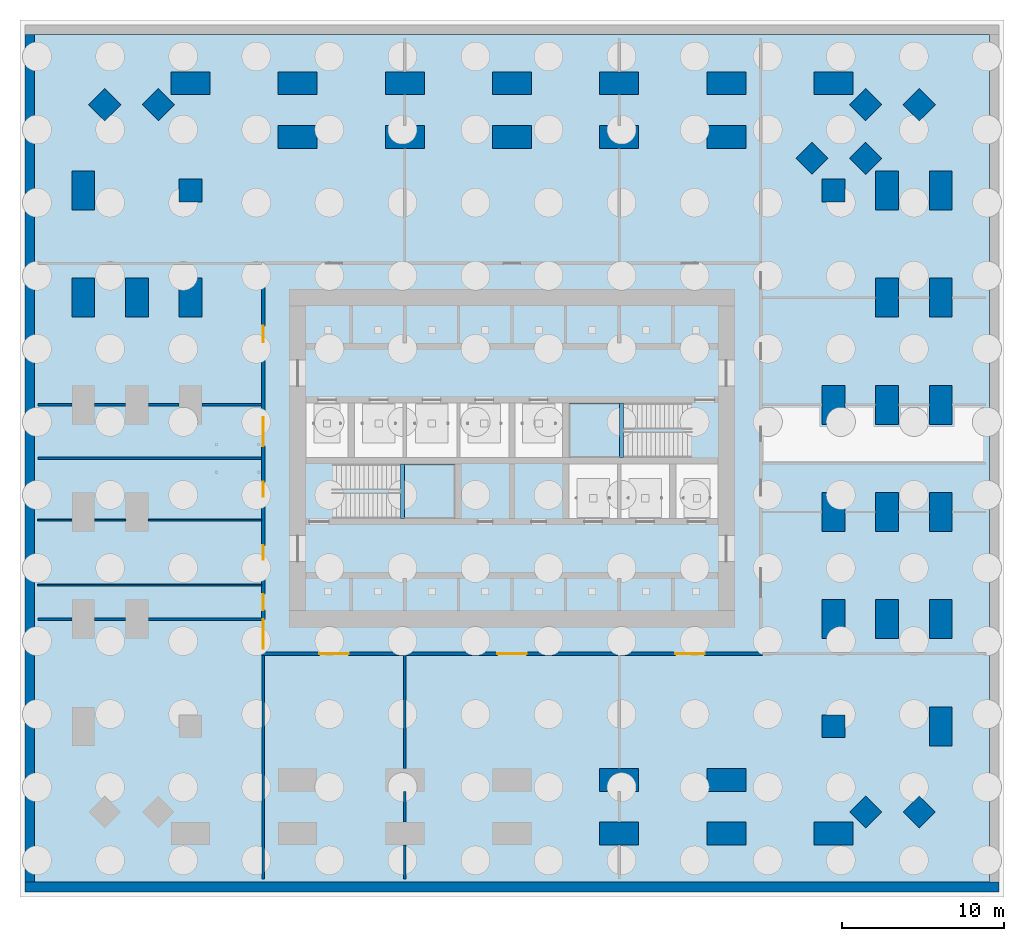
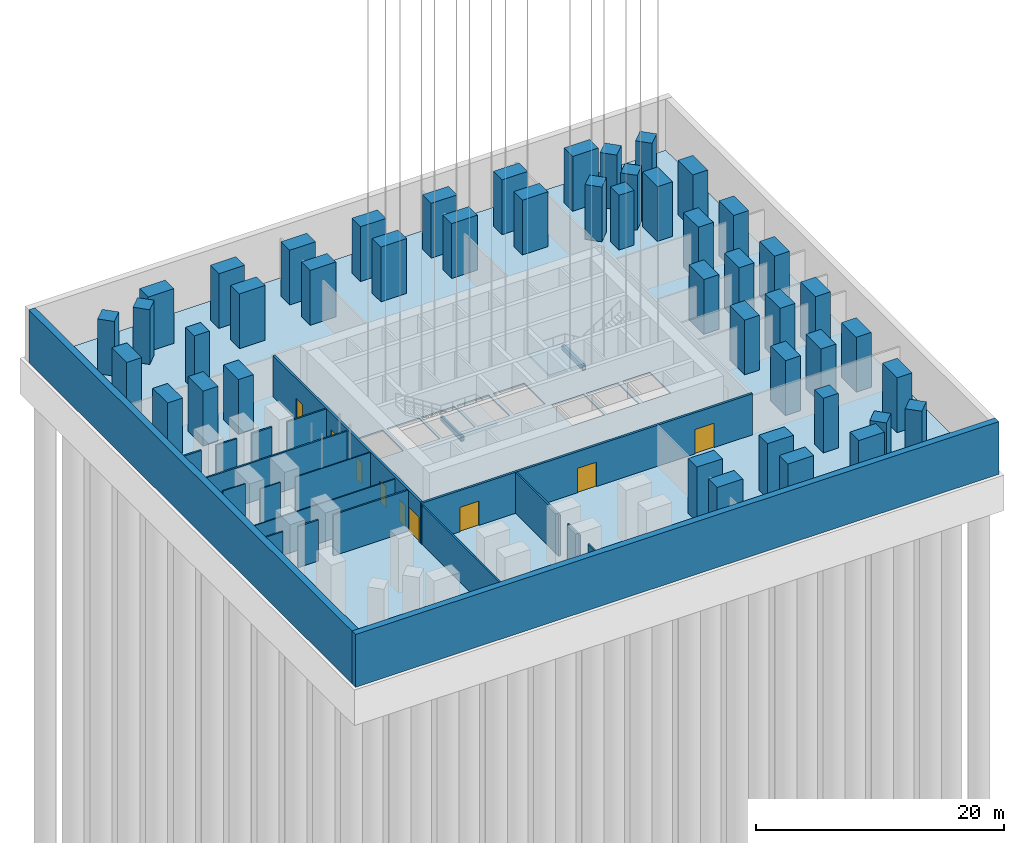
# One storey, part 3 of 17: 46 columns, 20 walls, 9 doors, 3 slabs, 2 beams, 9 openings, 2 elements without a shape of their own.
"""IFC4 building model written with IfcOpenShell, lengths in metres."""

from ifc_helpers import new_model, si_unit, direction, frame, frame_2d, origin, origin_2d, place, context, subcontext, project, spatial, polyline, rectangle, outline, extrude, material, layer, layer_set, material_profile, profile_set, type_object, element, fill, aggregate, save


model = new_model("IFC4")

# Units and contexts
model_context = context("Model", 3, precision=1e-05, world=origin(), true_north=direction((0.0, 1.0)))
body_context = subcontext(model_context, "Body", "Model", "MODEL_VIEW")
ifc_project = project(units=[si_unit("LENGTHUNIT", "METRE"), si_unit("AREAUNIT", "SQUARE_METRE"), si_unit("VOLUMEUNIT", "CUBIC_METRE"), si_unit("PLANEANGLEUNIT", "RADIAN"), si_unit("MASSUNIT", "GRAM", prefix="KILO")], contexts=[model_context])

# Site, building, storey
site_placement = place(None, origin())
site = spatial("IfcSite", under=ifc_project, at=site_placement, CompositionType="ELEMENT")
building_placement = place(site_placement, origin())
building = spatial("IfcBuilding", under=site, at=building_placement, Name="Cobogo Forest Laboratory Tower", CompositionType="ELEMENT")
storey_placement = place(building_placement, frame((0.0, 0.0, -5.39990234375)))
storey = spatial("IfcBuildingStorey", under=building, at=storey_placement, Name="L-01", CompositionType="ELEMENT", Elevation=-5.39990234375)

# Columns
ifc_material_1 = material(Name="Concrete HA-50 (C50/60)", Category="concrete")
ifc_material_profile_1 = material_profile(ifc_material_1, rectangle(XDim=2.39990234375, YDim=1.39990234375, at=origin_2d()), Name="RC 1400x2400")
ifc_profile_set_1 = profile_set([ifc_material_profile_1], Name="Concrete HA-50 (C50/60)")
column_type_1 = type_object("IfcColumnType", Name="Blade column 1400x2400", PredefinedType="COLUMN", material=ifc_profile_set_1)
for number, where, z_axis, x_axis, name in (
    (1, (33.0, 0.0, -0.150146484375), (0.0, 0.0, 1.0), (1.0, 0.0, 0.0), "Column 6-A L-01"),
    (2, (39.60009765625, 0.0, -0.150146484375), (0.0, 0.0, 1.0), (1.0, 0.0, 0.0), "Column 7-A L-01"),
    (3, (46.199951171875, 0.0, -0.150146484375), (0.0, 0.0, 1.0), (1.0, 0.0, 0.0), "Column 8-A L-01"),
    (4, (52.800048828125, 6.60009765625, -0.150146484375), (0.0, 0.0, 1.0), (0.0, 1.0, 0.0), "Column 9-B L-01"),
    (5, (52.800048828125, 13.199951171875, -0.150146484375), (0.0, 0.0, 1.0), (0.0, 1.0, 0.0), "Column 9-C L-01"),
    (6, (52.800048828125, 19.800048828125, -0.150146484375), (0.0, 0.0, 1.0), (0.0, 1.0, 0.0), "Column 9-D L-01"),
    (7, (52.800048828125, 26.39990234375, -0.150146484375), (0.0, 0.0, 1.0), (0.0, 1.0, 0.0), "Column 9-E L-01"),
    (8, (0.0, 33.0, -0.150146484375), (0.0, 0.0, 1.0), (0.0, 1.0, 0.0), "Column 1-F L-01"),
    (9, (52.800048828125, 33.0, -0.150146484375), (0.0, 0.0, 1.0), (0.0, 1.0, 0.0), "Column 9-F L-01"),
    (10, (0.0, 39.60009765625, -0.150146484375), (0.0, 0.0, 1.0), (0.0, 1.0, 0.0), "Column 1-G L-01"),
    (11, (52.800048828125, 39.60009765625, -0.150146484375), (0.0, 0.0, 1.0), (0.0, 1.0, 0.0), "Column 9-G L-01"),
    (12, (6.60009765625, 46.199951171875, -0.150146484375), (0.0, 0.0, 1.0), (1.0, 0.0, 0.0), "Column 2-H L-01"),
    (13, (13.199951171875, 46.199951171875, -0.150146484375), (0.0, 0.0, 1.0), (1.0, 0.0, 0.0), "Column 3-H L-01"),
    (14, (19.800048828125, 46.199951171875, -0.150146484375), (0.0, 0.0, 1.0), (1.0, 0.0, 0.0), "Column 4-H L-01"),
    (15, (26.39990234375, 46.199951171875, -0.150146484375), (0.0, 0.0, 1.0), (1.0, 0.0, 0.0), "Column 5-H L-01"),
    (16, (33.0, 46.199951171875, -0.150146484375), (0.0, 0.0, 1.0), (1.0, 0.0, 0.0), "Column 6-H L-01"),
    (17, (39.60009765625, 46.199951171875, -0.150146484375), (0.0, 0.0, 1.0), (1.0, 0.0, 0.0), "Column 7-H L-01"),
    (18, (46.199951171875, 46.199951171875, -0.150146484375), (0.0, 0.0, 1.0), (1.0, 0.0, 0.0), "Column 8-H L-01"),
    (19, (49.5, 13.199951171875, -0.150146484375), (0.0, 0.0, 1.0), (0.0, 1.0, 0.0), "Column 8.1-C-B L-01"),
    (20, (49.5, 19.800048828125, -0.150146484375), (0.0, 0.0, 1.0), (0.0, 1.0, 0.0), "Column 8.1-D-B L-01"),
    (21, (49.5, 26.39990234375, -0.150146484375), (0.0, 0.0, 1.0), (0.0, 1.0, 0.0), "Column 8.1-E-B L-01"),
    (22, (3.300048828125, 33.0, -0.150146484375), (0.0, 0.0, 1.0), (0.0, 1.0, 0.0), "Column 1.1-F-B L-01"),
    (23, (49.5, 33.0, -0.150146484375), (0.0, 0.0, 1.0), (0.0, 1.0, 0.0), "Column 8.1-F-B L-01"),
    (24, (49.5, 39.60009765625, -0.150146484375), (0.0, 0.0, 1.0), (0.0, 1.0, 0.0), "Column 8.1-G-B L-01"),
    (25, (33.0, 3.300048828125, -0.150146484375), (0.0, 0.0, 1.0), (1.0, 0.0, 0.0), "Column 6-A.1-C L-01"),
    (26, (39.60009765625, 3.300048828125, -0.150146484375), (0.0, 0.0, 1.0), (1.0, 0.0, 0.0), "Column 7-A.1-C L-01"),
    (27, (13.199951171875, 42.89990234375, -0.150146484375), (0.0, 0.0, 1.0), (1.0, 0.0, 0.0), "Column 3-G.1-C L-01"),
    (28, (19.800048828125, 42.89990234375, -0.150146484375), (0.0, 0.0, 1.0), (1.0, 0.0, 0.0), "Column 4-G.1-C L-01"),
    (29, (26.39990234375, 42.89990234375, -0.150146484375), (0.0, 0.0, 1.0), (1.0, 0.0, 0.0), "Column 5-G.1-C L-01"),
    (30, (33.0, 42.89990234375, -0.150146484375), (0.0, 0.0, 1.0), (1.0, 0.0, 0.0), "Column 6-G.1-C L-01"),
    (31, (39.60009765625, 42.89990234375, -0.150146484375), (0.0, 0.0, 1.0), (1.0, 0.0, 0.0), "Column 7-G.1-C L-01"),
    (32, (46.199951171875, 13.199951171875, -0.150146484375), (0.0, 0.0, 1.0), (0.0, 1.0, 0.0), "Column 8-C-D L-01"),
    (33, (46.199951171875, 19.800048828125, -0.150146484375), (0.0, 0.0, 1.0), (0.0, 1.0, 0.0), "Column 8-D-D L-01"),
    (34, (46.199951171875, 26.39990234375, -0.150146484375), (0.0, 0.0, 1.0), (0.0, 1.0, 0.0), "Column 8-E-D L-01"),
    (35, (6.60009765625, 33.0, -0.150146484375), (0.0, 0.0, 1.0), (0.0, 1.0, 0.0), "Column 2-F-D L-01"),
):
    element("IfcColumn", number, at=place(storey_placement, frame(where, z_axis=z_axis, x_axis=x_axis)), inside=storey, type_object=column_type_1, Name=name, PredefinedType="COLUMN", context=body_context, shape_type="SweptSolid", body=[
        extrude(rectangle(XDim=2.39990234375, YDim=1.39990234375, at=origin_2d()), origin(), (0.0, 0.0, 1.0), 5.550048828125),
    ])
ifc_material_profile_2 = material_profile(ifc_material_1, rectangle(XDim=1.39990234375, YDim=1.39990234375, at=origin_2d()), Name="RC 1400x1400")
ifc_profile_set_2 = profile_set([ifc_material_profile_2], Name="Concrete HA-50 (C50/60)")
column_type_2 = type_object("IfcColumnType", Name="Column 1400x1400", PredefinedType="COLUMN", material=ifc_profile_set_2)
for number, where, z_axis, x_axis, name in (
    (36, (51.48193359375, 1.318115234375, -0.150146484375), (0.0, 0.0, 1.0), (0.707106781187, 0.707106781187, 0.0), "Column CNR-SE L-01"),
    (37, (1.318115234375, 44.882080078125, -0.150146484375), (0.0, 0.0, 1.0), (0.707106781187, 0.707106781187, 0.0), "Column CNR-NW L-01"),
    (38, (51.48193359375, 44.882080078125, -0.150146484375), (0.0, 0.0, 1.0), (0.707106781187, 0.707106781187, 0.0), "Column CNR-NE L-01"),
    (39, (46.199951171875, 6.60009765625, -0.150146484375), (0.0, 0.0, 1.0), (1.0, 0.0, 0.0), "Column 8-B L-01"),
    (40, (6.60009765625, 39.60009765625, -0.150146484375), (0.0, 0.0, 1.0), (1.0, 0.0, 0.0), "Column 2-G L-01"),
    (41, (46.199951171875, 39.60009765625, -0.150146484375), (0.0, 0.0, 1.0), (1.0, 0.0, 0.0), "Column 8-G L-01"),
    (42, (48.181884765625, 1.318115234375, -0.150146484375), (0.0, 0.0, 1.0), (0.707106781187, 0.707106781187, 0.0), "Column CNR-SE-B L-01"),
    (43, (4.617919921875, 44.882080078125, -0.150146484375), (0.0, 0.0, 1.0), (0.707106781187, 0.707106781187, 0.0), "Column CNR-NW-B L-01"),
    (44, (48.181884765625, 44.882080078125, -0.150146484375), (0.0, 0.0, 1.0), (0.707106781187, 0.707106781187, 0.0), "Column CNR-NE-B L-01"),
    (45, (48.181884765625, 41.58203125, -0.150146484375), (0.0, 0.0, 1.0), (0.707106781187, 0.707106781187, 0.0), "Column CNR-NE-C L-01"),
    (46, (44.882080078125, 41.58203125, -0.150146484375), (0.0, 0.0, 1.0), (0.707106781187, 0.707106781187, 0.0), "Column CNR-NE-D L-01"),
):
    element("IfcColumn", number, at=place(storey_placement, frame(where, z_axis=z_axis, x_axis=x_axis)), inside=storey, type_object=column_type_2, Name=name, PredefinedType="COLUMN", context=body_context, shape_type="SweptSolid", body=[
        extrude(rectangle(XDim=1.39990234375, YDim=1.39990234375, at=origin_2d()), origin(), (0.0, 0.0, 1.0), 5.550048828125),
    ])

# Beams
ifc_material_2 = material(Name="Concrete HA-40 (C40/50)", Category="concrete")
ifc_material_profile_3 = material_profile(ifc_material_2, rectangle(XDim=0.25, YDim=0.449951171875, at=origin_2d()), Name="RC 250x450")
ifc_profile_set_3 = profile_set([ifc_material_profile_3], Name="Concrete HA-40 (C40/50)")
beam_type = type_object("IfcBeamType", Name="LB1 landing beam 250x450", PredefinedType="BEAM", material=ifc_profile_set_3)
for number, where, z_axis, x_axis, name in (
    (47, (19.64990234375, 19.39990234375, 2.27490234375), (0.0, 1.0, 0.0), (-1.0, 0.0, 0.0), "Landing beam ST1 L-01"),
    (48, (33.14990234375, 23.14990234375, 2.27490234375), (0.0, 1.0, 0.0), (-1.0, 0.0, 0.0), "Landing beam ST2 L-01"),
):
    element("IfcBeam", number, at=place(storey_placement, frame(where, z_axis=z_axis, x_axis=x_axis)), inside=storey, type_object=beam_type, Name=name, PredefinedType="BEAM", context=body_context, shape_type="SweptSolid", body=[
        extrude(rectangle(XDim=0.25, YDim=0.449951171875, at=origin_2d()), origin(), (0.0, 0.0, 1.0), 3.35009765625),
    ])

# Slab
ifc_layer_1 = layer(ifc_material_2, 0.14990234375)
ifc_layer_set_1 = layer_set([ifc_layer_1], Name="Basement floor slab 150 on raft")
slab_type_1 = type_object("IfcSlabType", Name="Basement floor slab 150 on raft", PredefinedType="BASESLAB", material=ifc_layer_set_1)
slab_1_placement = place(storey_placement, frame((0.0, 0.0, -0.150146484375)))
element("IfcSlab", 49, at=slab_1_placement, inside=storey, type_object=slab_type_1, Name="L-01 floor slab", PredefinedType="BASESLAB", context=body_context, shape_type="SweptSolid", body=[
    extrude(outline(polyline([(-3.0, -3.0), (55.800048828125, -3.0), (55.800048828125, 49.199951171875), (-3.0, 49.199951171875), (-3.0, -3.0)]), holes=[polyline([(29.89990234375, 19.39990234375), (32.89990234375, 19.39990234375), (32.89990234375, 22.75), (29.89990234375, 22.75), (29.89990234375, 19.39990234375)]), polyline([(33.10009765625, 19.39990234375), (36.10009765625, 19.39990234375), (36.10009765625, 22.75), (33.10009765625, 22.75), (33.10009765625, 19.39990234375)]), polyline([(36.5, 19.39990234375), (39.074951171875, 19.39990234375), (39.074951171875, 22.75), (36.5, 22.75), (36.5, 19.39990234375)]), polyline([(13.72509765625, 23.14990234375), (16.300048828125, 23.14990234375), (16.300048828125, 26.5), (13.72509765625, 26.5), (13.72509765625, 23.14990234375)]), polyline([(16.699951171875, 23.14990234375), (19.699951171875, 23.14990234375), (19.699951171875, 26.5), (16.699951171875, 26.5), (16.699951171875, 23.14990234375)]), polyline([(19.89990234375, 23.14990234375), (23.0, 23.14990234375), (23.0, 26.5), (19.89990234375, 26.5), (19.89990234375, 23.14990234375)]), polyline([(23.199951171875, 23.14990234375), (26.199951171875, 23.14990234375), (26.199951171875, 26.5), (23.199951171875, 26.5), (23.199951171875, 23.14990234375)]), polyline([(26.60009765625, 23.14990234375), (29.5, 23.14990234375), (29.5, 26.5), (26.60009765625, 26.5), (26.60009765625, 23.14990234375)])]), origin(), (0.0, 0.0, 1.0), 0.150146484375),
])

# Stair, slab
ifc_material_3 = material(Name="Precast concrete HA-40 (C40/50)", Category="concrete")
stair_type = type_object("IfcStairType", Name="ST32 exit stair 32 risers", PredefinedType="HALF_TURN_STAIR", material=ifc_material_3)
stair_1_placement = place(storey_placement, origin())
stair_1 = element("IfcStair", 50, at=stair_1_placement, inside=storey, type_object=stair_type, Name="Stair 1 L-01 to L00", PredefinedType="HALF_TURN_STAIR")
ifc_layer_2 = layer(ifc_material_2, 0.199951171875)
ifc_layer_set_2 = layer_set([ifc_layer_2], Name="SL stair landing 200")
slab_type_2 = type_object("IfcSlabType", Name="SL stair landing 200", PredefinedType="LANDING", material=ifc_layer_set_2)
slab_2_placement = place(storey_placement, frame((0.0, 0.0, 2.5)))
slab_2 = element("IfcSlab", 51, at=slab_2_placement, type_object=slab_type_2, Name="ST1 landing 1", PredefinedType="LANDING", context=body_context, shape_type="SweptSolid", body=[
    extrude(outline(polyline([(19.52294921875, 19.39990234375), (22.89990234375, 19.39990234375), (22.89990234375, 22.75), (19.52294921875, 22.75), (19.52294921875, 19.39990234375)])), origin(), (0.0, 0.0, 1.0), 0.199951171875),
])
aggregate(stair_1, [slab_2])

stair_2_placement = place(storey_placement, origin())
stair_2 = element("IfcStair", 52, at=stair_2_placement, inside=storey, type_object=stair_type, Name="Stair 2 L-01 to L00", PredefinedType="HALF_TURN_STAIR")
slab_3_placement = place(storey_placement, frame((0.0, 0.0, 2.5)))
slab_3 = element("IfcSlab", 53, at=slab_3_placement, type_object=slab_type_2, Name="ST2 landing 1", PredefinedType="LANDING", context=body_context, shape_type="SweptSolid", body=[
    extrude(outline(polyline([(29.89990234375, 23.14990234375), (33.277099609375, 23.14990234375), (33.277099609375, 26.5), (29.89990234375, 26.5), (29.89990234375, 23.14990234375)])), origin(), (0.0, 0.0, 1.0), 0.199951171875),
])
aggregate(stair_2, [slab_3])

# Walls
ifc_layer_3 = layer(ifc_material_2, 0.60009765625)
ifc_layer_set_3 = layer_set([ifc_layer_3], Name="Basement retaining wall 600")
wall_type_1 = type_object("IfcWallType", Name="Basement retaining wall 600", PredefinedType="SOLIDWALL", material=ifc_layer_set_3)
wall_1_placement = place(storey_placement, frame((-3.60009765625, -3.300048828125, -0.150146484375), z_axis=(0.0, 0.0, 1.0), x_axis=(1.0, 0.0, 0.0)))
element("IfcWall", 54, at=wall_1_placement, inside=storey, type_object=wall_type_1, Name="Retaining wall S", PredefinedType="SOLIDWALL", context=body_context, shape_type="SweptSolid", body=[
    extrude(rectangle(XDim=60.0, YDim=0.60009765625, at=frame_2d((30.0, 0.0))), origin(), (0.0, 0.0, 1.0), 5.199951171875),
])
wall_2_placement = place(storey_placement, frame((-3.300048828125, -3.0, -0.150146484375), z_axis=(0.0, 0.0, 1.0), x_axis=(0.0, 1.0, 0.0)))
element("IfcWall", 55, at=wall_2_placement, inside=storey, type_object=wall_type_1, Name="Retaining wall W", PredefinedType="SOLIDWALL", context=body_context, shape_type="SweptSolid", body=[
    extrude(rectangle(XDim=52.199951171875, YDim=0.60009765625, at=frame_2d((26.10009765625, 0.0))), origin(), (0.0, 0.0, 1.0), 5.199951171875),
])
ifc_material_4 = material(Name="Gypsum board on steel studs", Category="steel")
ifc_layer_4 = layer(ifc_material_4, 0.14990234375)
ifc_layer_set_4 = layer_set([ifc_layer_4], Name="PT1 laboratory partition 150")
wall_type_2 = type_object("IfcWallType", Name="PT1 laboratory partition 150", PredefinedType="PARTITIONING", material=ifc_layer_set_4)
wall_3_placement = place(storey_placement, frame((11.074951171875, -2.800048828125, 0.0), z_axis=(0.0, 0.0, 1.0), x_axis=(0.0, 1.0, 0.0)))
element("IfcWall", 56, at=wall_3_placement, inside=storey, type_object=wall_type_2, Name="Partition PW-SW L-01", PredefinedType="PARTITIONING", context=body_context, shape_type="SweptSolid", body=[
    extrude(rectangle(XDim=13.775146484375, YDim=0.14990234375, at=frame_2d((6.8876953125, 0.0))), origin(), (0.0, 0.0, 1.0), 3.849853515625),
])
wall_4_placement = place(storey_placement, frame((19.800048828125, -2.800048828125, 0.0), z_axis=(0.0, 0.0, 1.0), x_axis=(0.0, 1.0, 0.0)))
element("IfcWall", 57, at=wall_4_placement, inside=storey, type_object=wall_type_2, Name="Partition CUT-S19.8-1 L-01", PredefinedType="PARTITIONING", context=body_context, shape_type="SweptSolid", body=[
    extrude(rectangle(XDim=2.10009765625, YDim=0.14990234375, at=frame_2d((1.050048828125, 0.0))), origin(), (0.0, 0.0, 1.0), 4.0498046875),
])
wall_5_placement = place(storey_placement, frame((19.800048828125, 0.699951171875, 0.0), z_axis=(0.0, 0.0, 1.0), x_axis=(0.0, 1.0, 0.0)))
element("IfcWall", 58, at=wall_5_placement, inside=storey, type_object=wall_type_2, Name="Partition CUT-S19.8-2 L-01", PredefinedType="PARTITIONING", context=body_context, shape_type="SweptSolid", body=[
    extrude(rectangle(XDim=1.900146484375, YDim=0.14990234375, at=frame_2d((0.9501953125, 0.0))), origin(), (0.0, 0.0, 1.0), 4.0498046875),
])
wall_6_placement = place(storey_placement, frame((19.800048828125, 4.0, 0.0), z_axis=(0.0, 0.0, 1.0), x_axis=(0.0, 1.0, 0.0)))
element("IfcWall", 59, at=wall_6_placement, inside=storey, type_object=wall_type_2, Name="Partition CUT-S19.8-3 L-01", PredefinedType="PARTITIONING", context=body_context, shape_type="SweptSolid", body=[
    extrude(rectangle(XDim=6.97509765625, YDim=0.14990234375, at=frame_2d((3.487548828125, 0.0))), origin(), (0.0, 0.0, 1.0), 4.0498046875),
])
wall_7_placement = place(storey_placement, frame((-2.800048828125, 23.10009765625, 0.0), z_axis=(0.0, 0.0, 1.0), x_axis=(1.0, 0.0, 0.0)))
element("IfcWall", 60, at=wall_7_placement, inside=storey, type_object=wall_type_2, Name="Partition SVC-W3-1 L-01", PredefinedType="PARTITIONING", context=body_context, shape_type="SweptSolid", body=[
    extrude(rectangle(XDim=13.775146484375, YDim=0.14990234375, at=frame_2d((6.8876953125, 0.0))), origin(), (0.0, 0.0, 1.0), 3.849853515625),
])
wall_8_placement = place(storey_placement, frame((-2.800048828125, 13.199951171875, 0.0), z_axis=(0.0, 0.0, 1.0), x_axis=(1.0, 0.0, 0.0)))
element("IfcWall", 61, at=wall_8_placement, inside=storey, type_object=wall_type_2, Name="Partition CUT-W13.2-1 L-01", PredefinedType="PARTITIONING", context=body_context, shape_type="SweptSolid", body=[
    extrude(rectangle(XDim=2.10009765625, YDim=0.14990234375, at=frame_2d((1.050048828125, 0.0))), origin(), (0.0, 0.0, 1.0), 4.0498046875),
])
wall_9_placement = place(storey_placement, frame((0.699951171875, 13.199951171875, 0.0), z_axis=(0.0, 0.0, 1.0), x_axis=(1.0, 0.0, 0.0)))
element("IfcWall", 62, at=wall_9_placement, inside=storey, type_object=wall_type_2, Name="Partition CUT-W13.2-2 L-01", PredefinedType="PARTITIONING", context=body_context, shape_type="SweptSolid", body=[
    extrude(rectangle(XDim=1.900146484375, YDim=0.14990234375, at=frame_2d((0.9501953125, 0.0))), origin(), (0.0, 0.0, 1.0), 4.0498046875),
])
wall_10_placement = place(storey_placement, frame((4.0, 13.199951171875, 0.0), z_axis=(0.0, 0.0, 1.0), x_axis=(1.0, 0.0, 0.0)))
element("IfcWall", 63, at=wall_10_placement, inside=storey, type_object=wall_type_2, Name="Partition CUT-W13.2-3 L-01", PredefinedType="PARTITIONING", context=body_context, shape_type="SweptSolid", body=[
    extrude(rectangle(XDim=6.97509765625, YDim=0.14990234375, at=frame_2d((3.487548828125, 0.0))), origin(), (0.0, 0.0, 1.0), 4.0498046875),
])
wall_11_placement = place(storey_placement, frame((-2.800048828125, 26.39990234375, 0.0), z_axis=(0.0, 0.0, 1.0), x_axis=(1.0, 0.0, 0.0)))
element("IfcWall", 64, at=wall_11_placement, inside=storey, type_object=wall_type_2, Name="Partition CUT-W26.4-1 L-01", PredefinedType="PARTITIONING", context=body_context, shape_type="SweptSolid", body=[
    extrude(rectangle(XDim=2.10009765625, YDim=0.14990234375, at=frame_2d((1.050048828125, 0.0))), origin(), (0.0, 0.0, 1.0), 4.0498046875),
])
wall_12_placement = place(storey_placement, frame((0.699951171875, 26.39990234375, 0.0), z_axis=(0.0, 0.0, 1.0), x_axis=(1.0, 0.0, 0.0)))
element("IfcWall", 65, at=wall_12_placement, inside=storey, type_object=wall_type_2, Name="Partition CUT-W26.4-2 L-01", PredefinedType="PARTITIONING", context=body_context, shape_type="SweptSolid", body=[
    extrude(rectangle(XDim=1.900146484375, YDim=0.14990234375, at=frame_2d((0.9501953125, 0.0))), origin(), (0.0, 0.0, 1.0), 4.0498046875),
])
wall_13_placement = place(storey_placement, frame((4.0, 26.39990234375, 0.0), z_axis=(0.0, 0.0, 1.0), x_axis=(1.0, 0.0, 0.0)))
element("IfcWall", 66, at=wall_13_placement, inside=storey, type_object=wall_type_2, Name="Partition CUT-W26.4-3 L-01", PredefinedType="PARTITIONING", context=body_context, shape_type="SweptSolid", body=[
    extrude(rectangle(XDim=1.89990234375, YDim=0.14990234375, at=frame_2d((0.949951171875, 0.0))), origin(), (0.0, 0.0, 1.0), 4.0498046875),
])
wall_14_placement = place(storey_placement, frame((7.300048828125, 26.39990234375, 0.0), z_axis=(0.0, 0.0, 1.0), x_axis=(1.0, 0.0, 0.0)))
element("IfcWall", 67, at=wall_14_placement, inside=storey, type_object=wall_type_2, Name="Partition CUT-W26.4-4 L-01", PredefinedType="PARTITIONING", context=body_context, shape_type="SweptSolid", body=[
    extrude(rectangle(XDim=3.675048828125, YDim=0.14990234375, at=frame_2d((1.83740234375, 0.0))), origin(), (0.0, 0.0, 1.0), 4.0498046875),
])

# Wall, openings, doors
ifc_layer_5 = layer(ifc_material_4, 0.199951171875)
ifc_layer_set_5 = layer_set([ifc_layer_5], Name="PT2 fire-rated corridor partition 200")
wall_type_3 = type_object("IfcWallType", Name="PT2 fire-rated corridor partition 200", PredefinedType="PARTITIONING", material=ifc_layer_set_5)
wall_15_placement = place(storey_placement, frame((10.97509765625, 11.074951171875, 0.0), z_axis=(0.0, 0.0, 1.0), x_axis=(1.0, 0.0, 0.0)))
wall_15 = element("IfcWall", 68, at=wall_15_placement, inside=storey, type_object=wall_type_3, Name="Partition CORR-S L-01", PredefinedType="PARTITIONING", context=body_context, shape_type="SweptSolid", body=[
    extrude(rectangle(XDim=30.849853515625, YDim=0.199951171875, at=frame_2d((15.4248046875, 0.0))), origin(), (0.0, 0.0, 1.0), 4.0498046875),
])
opening_1_placement = place(wall_15_placement, frame((3.5625, 0.0, 0.0)))
opening_1 = element("IfcOpeningElement", 69, at=opening_1_placement, cuts=wall_15, Name="Opening L-1-D01", PredefinedType="OPENING", context=body_context, shape_type="SweptSolid", body=[
    extrude(rectangle(XDim=1.800048828125, YDim=2.39990234375, at=frame_2d((0.89990234375, 1.199951171875))), frame((0.0, 0.10986328125, 0.0), z_axis=(0.0, -1.0, 0.0), x_axis=(1.0, 0.0, 0.0)), (0.0, 0.0, 1.0), 0.219970703125),
])
opening_2_placement = place(wall_15_placement, frame((14.52490234375, 0.0, 0.0)))
opening_2 = element("IfcOpeningElement", 70, at=opening_2_placement, cuts=wall_15, Name="Opening L-1-D02", PredefinedType="OPENING", context=body_context, shape_type="SweptSolid", body=[
    extrude(rectangle(XDim=1.800048828125, YDim=2.39990234375, at=frame_2d((0.89990234375, 1.199951171875))), frame((0.0, 0.10986328125, 0.0), z_axis=(0.0, -1.0, 0.0), x_axis=(1.0, 0.0, 0.0)), (0.0, 0.0, 1.0), 0.219970703125),
])
opening_3_placement = place(wall_15_placement, frame((25.487548828125, 0.0, 0.0)))
opening_3 = element("IfcOpeningElement", 71, at=opening_3_placement, cuts=wall_15, Name="Opening L-1-D03", PredefinedType="OPENING", context=body_context, shape_type="SweptSolid", body=[
    extrude(rectangle(XDim=1.800048828125, YDim=2.39990234375, at=frame_2d((0.89990234375, 1.199951171875))), frame((0.0, 0.10986328125, 0.0), z_axis=(0.0, -1.0, 0.0), x_axis=(1.0, 0.0, 0.0)), (0.0, 0.0, 1.0), 0.219970703125),
])
ifc_material_5 = material(Name="Steel fire door", Category="steel")
door_type_1 = type_object("IfcDoorType", Name="PD1 plant door pair 1800 EI2 60", OperationType="DOUBLE_DOOR_SINGLE_SWING", PredefinedType="DOOR", material=ifc_material_5)
door_1_placement = place(opening_1_placement, origin())
door_1 = element("IfcDoor", 72, at=door_1_placement, inside=storey, type_object=door_type_1, Name="Door L-1-S1", OperationType="DOUBLE_DOOR_SINGLE_SWING", OverallHeight=2.39990234375, OverallWidth=1.800048828125, PredefinedType="DOOR", context=body_context, shape_type="SweptSolid", body=[
    extrude(rectangle(XDim=1.800048828125, YDim=2.39990234375, at=frame_2d((0.89990234375, 1.199951171875))), frame((0.0, 0.02490234375, 0.0), z_axis=(0.0, -1.0, 0.0), x_axis=(1.0, 0.0, 0.0)), (0.0, 0.0, 1.0), 0.050048828125),
])
fill(opening_1, door_1)
door_2_placement = place(opening_2_placement, origin())
door_2 = element("IfcDoor", 73, at=door_2_placement, inside=storey, type_object=door_type_1, Name="Door L-1-S2", OperationType="DOUBLE_DOOR_SINGLE_SWING", OverallHeight=2.39990234375, OverallWidth=1.800048828125, PredefinedType="DOOR", context=body_context, shape_type="SweptSolid", body=[
    extrude(rectangle(XDim=1.800048828125, YDim=2.39990234375, at=frame_2d((0.89990234375, 1.199951171875))), frame((0.0, 0.02490234375, 0.0), z_axis=(0.0, -1.0, 0.0), x_axis=(1.0, 0.0, 0.0)), (0.0, 0.0, 1.0), 0.050048828125),
])
fill(opening_2, door_2)
door_3_placement = place(opening_3_placement, origin())
door_3 = element("IfcDoor", 74, at=door_3_placement, inside=storey, type_object=door_type_1, Name="Door L-1-S3", OperationType="DOUBLE_DOOR_SINGLE_SWING", OverallHeight=2.39990234375, OverallWidth=1.800048828125, PredefinedType="DOOR", context=body_context, shape_type="SweptSolid", body=[
    extrude(rectangle(XDim=1.800048828125, YDim=2.39990234375, at=frame_2d((0.89990234375, 1.199951171875))), frame((0.0, 0.02490234375, 0.0), z_axis=(0.0, -1.0, 0.0), x_axis=(1.0, 0.0, 0.0)), (0.0, 0.0, 1.0), 0.050048828125),
])
fill(opening_3, door_3)

wall_16_placement = place(storey_placement, frame((11.074951171875, 11.175048828125, 0.0), z_axis=(0.0, 0.0, 1.0), x_axis=(0.0, 1.0, 0.0)))
wall_16 = element("IfcWall", 75, at=wall_16_placement, inside=storey, type_object=wall_type_3, Name="Partition CORR-W L-01", PredefinedType="PARTITIONING", context=body_context, shape_type="SweptSolid", body=[
    extrude(rectangle(XDim=23.849853515625, YDim=0.199951171875, at=frame_2d((11.9248046875, 0.0))), origin(), (0.0, 0.0, 1.0), 4.0498046875),
])
opening_4_placement = place(wall_16_placement, frame((0.21240234375, 0.0, 0.0)))
opening_4 = element("IfcOpeningElement", 76, at=opening_4_placement, cuts=wall_16, Name="Opening L-1-D04", PredefinedType="OPENING", context=body_context, shape_type="SweptSolid", body=[
    extrude(rectangle(XDim=1.800048828125, YDim=2.39990234375, at=frame_2d((0.89990234375, 1.199951171875))), frame((0.0, 0.10986328125, 0.0), z_axis=(0.0, -1.0, 0.0), x_axis=(1.0, 0.0, 0.0)), (0.0, 0.0, 1.0), 0.219970703125),
])
opening_5_placement = place(wall_16_placement, frame((2.574951171875, 0.0, 0.0)))
opening_5 = element("IfcOpeningElement", 77, at=opening_5_placement, cuts=wall_16, Name="Opening L-1-D05", PredefinedType="OPENING", context=body_context, shape_type="SweptSolid", body=[
    extrude(rectangle(XDim=1.0, YDim=2.10009765625, at=frame_2d((0.5, 1.050048828125))), frame((0.0, 0.10986328125, 0.0), z_axis=(0.0, -1.0, 0.0), x_axis=(1.0, 0.0, 0.0)), (0.0, 0.0, 1.0), 0.219970703125),
])
opening_6_placement = place(wall_16_placement, frame((5.675048828125, 0.0, 0.0)))
opening_6 = element("IfcOpeningElement", 78, at=opening_6_placement, cuts=wall_16, Name="Opening L-1-D07", PredefinedType="OPENING", context=body_context, shape_type="SweptSolid", body=[
    extrude(rectangle(XDim=0.89990234375, YDim=2.10009765625, at=frame_2d((0.449951171875, 1.050048828125))), frame((0.0, 0.10986328125, 0.0), z_axis=(0.0, -1.0, 0.0), x_axis=(1.0, 0.0, 0.0)), (0.0, 0.0, 1.0), 0.219970703125),
])
opening_7_placement = place(wall_16_placement, frame((9.574951171875, 0.0, 0.0)))
opening_7 = element("IfcOpeningElement", 79, at=opening_7_placement, cuts=wall_16, Name="Opening L-1-D13", PredefinedType="OPENING", context=body_context, shape_type="SweptSolid", body=[
    extrude(rectangle(XDim=0.89990234375, YDim=2.10009765625, at=frame_2d((0.449951171875, 1.050048828125))), frame((0.0, 0.10986328125, 0.0), z_axis=(0.0, -1.0, 0.0), x_axis=(1.0, 0.0, 0.0)), (0.0, 0.0, 1.0), 0.219970703125),
])
opening_8_placement = place(wall_16_placement, frame((12.675048828125, 0.0, 0.0)))
opening_8 = element("IfcOpeningElement", 80, at=opening_8_placement, cuts=wall_16, Name="Opening L-1-D16", PredefinedType="OPENING", context=body_context, shape_type="SweptSolid", body=[
    extrude(rectangle(XDim=1.800048828125, YDim=2.39990234375, at=frame_2d((0.89990234375, 1.199951171875))), frame((0.0, 0.10986328125, 0.0), z_axis=(0.0, -1.0, 0.0), x_axis=(1.0, 0.0, 0.0)), (0.0, 0.0, 1.0), 0.219970703125),
])
opening_9_placement = place(wall_16_placement, frame((19.08740234375, 0.0, 0.0)))
opening_9 = element("IfcOpeningElement", 81, at=opening_9_placement, cuts=wall_16, Name="Opening L-1-D21", PredefinedType="OPENING", context=body_context, shape_type="SweptSolid", body=[
    extrude(rectangle(XDim=1.0, YDim=2.10009765625, at=frame_2d((0.5, 1.050048828125))), frame((0.0, 0.10986328125, 0.0), z_axis=(0.0, -1.0, 0.0), x_axis=(1.0, 0.0, 0.0)), (0.0, 0.0, 1.0), 0.219970703125),
])
ifc_material_6 = material(Name="Timber fire door", Category="wood")
door_type_2 = type_object("IfcDoorType", Name="FD2 fire door 1000 EI2 30", OperationType="SINGLE_SWING_LEFT", PredefinedType="DOOR", material=ifc_material_6)
door_4_placement = place(opening_9_placement, origin())
door_4 = element("IfcDoor", 82, at=door_4_placement, inside=storey, type_object=door_type_2, Name="Door L-1-W3", OperationType="SINGLE_SWING_RIGHT", OverallHeight=2.10009765625, OverallWidth=1.0, PredefinedType="DOOR", context=body_context, shape_type="SweptSolid", body=[
    extrude(rectangle(XDim=1.0, YDim=2.10009765625, at=frame_2d((0.5, 1.050048828125))), frame((0.0, 0.02490234375, 0.0), z_axis=(0.0, -1.0, 0.0), x_axis=(1.0, 0.0, 0.0)), (0.0, 0.0, 1.0), 0.050048828125),
])
fill(opening_9, door_4)
door_type_3 = type_object("IfcDoorType", Name="FD3 toilet fire door 900 EI2 30", OperationType="SINGLE_SWING_LEFT", PredefinedType="DOOR", material=ifc_material_6)
door_5_placement = place(opening_6_placement, origin())
door_5 = element("IfcDoor", 83, at=door_5_placement, inside=storey, type_object=door_type_3, Name="Door L-1-WCF", OperationType="SINGLE_SWING_LEFT", OverallHeight=2.10009765625, OverallWidth=0.89990234375, PredefinedType="DOOR", context=body_context, shape_type="SweptSolid", body=[
    extrude(rectangle(XDim=0.89990234375, YDim=2.10009765625, at=frame_2d((0.449951171875, 1.050048828125))), frame((0.0, 0.02490234375, 0.0), z_axis=(0.0, -1.0, 0.0), x_axis=(1.0, 0.0, 0.0)), (0.0, 0.0, 1.0), 0.050048828125),
])
fill(opening_6, door_5)
door_6_placement = place(opening_7_placement, origin())
door_6 = element("IfcDoor", 84, at=door_6_placement, inside=storey, type_object=door_type_3, Name="Door L-1-WCM", OperationType="SINGLE_SWING_LEFT", OverallHeight=2.10009765625, OverallWidth=0.89990234375, PredefinedType="DOOR", context=body_context, shape_type="SweptSolid", body=[
    extrude(rectangle(XDim=0.89990234375, YDim=2.10009765625, at=frame_2d((0.449951171875, 1.050048828125))), frame((0.0, 0.02490234375, 0.0), z_axis=(0.0, -1.0, 0.0), x_axis=(1.0, 0.0, 0.0)), (0.0, 0.0, 1.0), 0.050048828125),
])
fill(opening_7, door_6)
door_type_4 = type_object("IfcDoorType", Name="FDA1 accessible toilet fire door 1000 EI2 30", OperationType="SINGLE_SWING_RIGHT", PredefinedType="DOOR", material=ifc_material_6)
door_7_placement = place(opening_5_placement, origin())
door_7 = element("IfcDoor", 85, at=door_7_placement, inside=storey, type_object=door_type_4, Name="Door L-1-WCA", OperationType="SINGLE_SWING_LEFT", OverallHeight=2.10009765625, OverallWidth=1.0, PredefinedType="DOOR", context=body_context, shape_type="SweptSolid", body=[
    extrude(rectangle(XDim=1.0, YDim=2.10009765625, at=frame_2d((0.5, 1.050048828125))), frame((0.0, 0.02490234375, 0.0), z_axis=(0.0, -1.0, 0.0), x_axis=(1.0, 0.0, 0.0)), (0.0, 0.0, 1.0), 0.050048828125),
])
fill(opening_5, door_7)
door_8_placement = place(opening_4_placement, origin())
door_8 = element("IfcDoor", 86, at=door_8_placement, inside=storey, type_object=door_type_1, Name="Door L-1-W1", OperationType="DOUBLE_DOOR_SINGLE_SWING", OverallHeight=2.39990234375, OverallWidth=1.800048828125, PredefinedType="DOOR", context=body_context, shape_type="SweptSolid", body=[
    extrude(rectangle(XDim=1.800048828125, YDim=2.39990234375, at=frame_2d((0.89990234375, 1.199951171875))), frame((0.0, 0.02490234375, 0.0), z_axis=(0.0, -1.0, 0.0), x_axis=(1.0, 0.0, 0.0)), (0.0, 0.0, 1.0), 0.050048828125),
])
fill(opening_4, door_8)
door_9_placement = place(opening_8_placement, origin())
door_9 = element("IfcDoor", 87, at=door_9_placement, inside=storey, type_object=door_type_1, Name="Door L-1-W2", OperationType="DOUBLE_DOOR_SINGLE_SWING", OverallHeight=2.39990234375, OverallWidth=1.800048828125, PredefinedType="DOOR", context=body_context, shape_type="SweptSolid", body=[
    extrude(rectangle(XDim=1.800048828125, YDim=2.39990234375, at=frame_2d((0.89990234375, 1.199951171875))), frame((0.0, 0.02490234375, 0.0), z_axis=(0.0, -1.0, 0.0), x_axis=(1.0, 0.0, 0.0)), (0.0, 0.0, 1.0), 0.050048828125),
])
fill(opening_8, door_9)

# Walls
ifc_layer_6 = layer(ifc_material_4, 0.10009765625)
ifc_layer_set_6 = layer_set([ifc_layer_6], Name="PT3 toilet partition 100")
wall_type_4 = type_object("IfcWallType", Name="PT3 toilet partition 100", PredefinedType="PARTITIONING", material=ifc_layer_set_6)
wall_17_placement = place(storey_placement, frame((-2.800048828125, 15.300048828125, 0.0), z_axis=(0.0, 0.0, 1.0), x_axis=(1.0, 0.0, 0.0)))
element("IfcWall", 88, at=wall_17_placement, inside=storey, type_object=wall_type_4, Name="Partition SVC-W1-1 L-01", PredefinedType="PARTITIONING", context=body_context, shape_type="SweptSolid", body=[
    extrude(rectangle(XDim=13.775146484375, YDim=0.10009765625, at=frame_2d((6.8876953125, 0.0))), origin(), (0.0, 0.0, 1.0), 3.849853515625),
])
wall_18_placement = place(storey_placement, frame((-2.800048828125, 19.300048828125, 0.0), z_axis=(0.0, 0.0, 1.0), x_axis=(1.0, 0.0, 0.0)))
element("IfcWall", 89, at=wall_18_placement, inside=storey, type_object=wall_type_4, Name="Partition SVC-W2-1 L-01", PredefinedType="PARTITIONING", context=body_context, shape_type="SweptSolid", body=[
    extrude(rectangle(XDim=2.10009765625, YDim=0.10009765625, at=frame_2d((1.050048828125, 0.0))), origin(), (0.0, 0.0, 1.0), 5.0498046875),
])
wall_19_placement = place(storey_placement, frame((0.699951171875, 19.300048828125, 0.0), z_axis=(0.0, 0.0, 1.0), x_axis=(1.0, 0.0, 0.0)))
element("IfcWall", 90, at=wall_19_placement, inside=storey, type_object=wall_type_4, Name="Partition SVC-W2-2 L-01", PredefinedType="PARTITIONING", context=body_context, shape_type="SweptSolid", body=[
    extrude(rectangle(XDim=1.900146484375, YDim=0.10009765625, at=frame_2d((0.9501953125, 0.0))), origin(), (0.0, 0.0, 1.0), 4.0498046875),
])
wall_20_placement = place(storey_placement, frame((4.0, 19.300048828125, 0.0), z_axis=(0.0, 0.0, 1.0), x_axis=(1.0, 0.0, 0.0)))
element("IfcWall", 91, at=wall_20_placement, inside=storey, type_object=wall_type_4, Name="Partition SVC-W2-3 L-01", PredefinedType="PARTITIONING", context=body_context, shape_type="SweptSolid", body=[
    extrude(rectangle(XDim=6.97509765625, YDim=0.10009765625, at=frame_2d((3.487548828125, 0.0))), origin(), (0.0, 0.0, 1.0), 4.0498046875),
])

save(model, "model.ifc")
